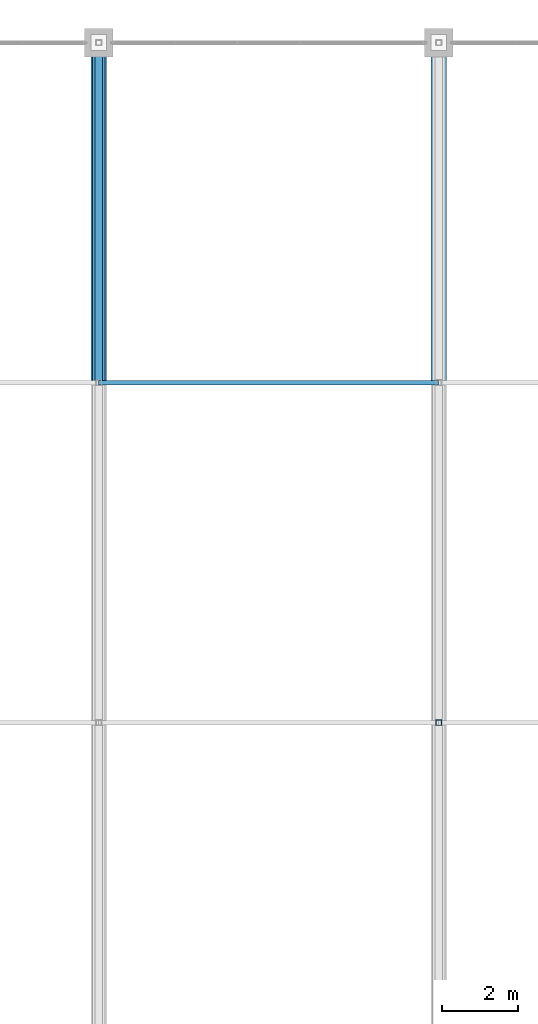
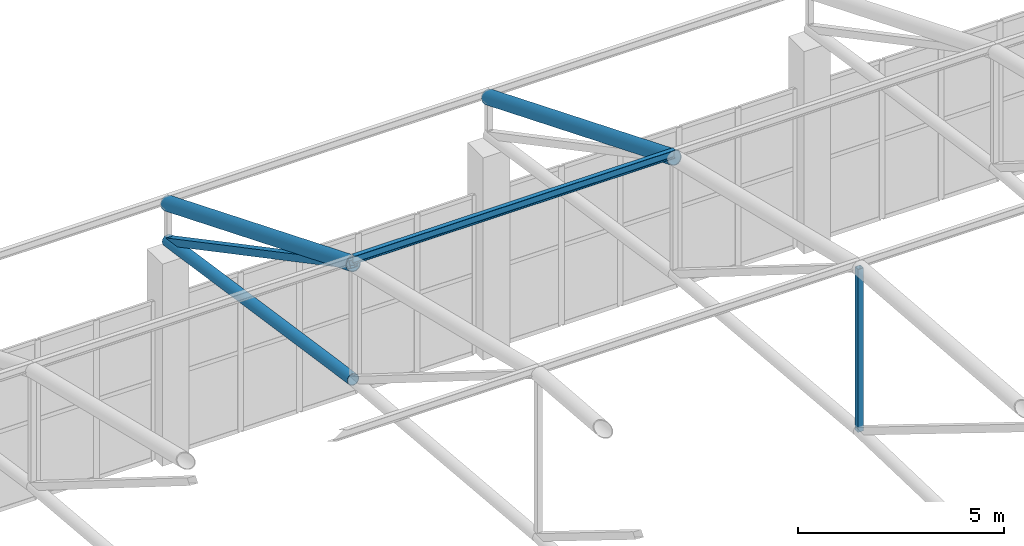
# One storey, part 138 of 223: 6 members.
"""IFC4 building model written with IfcOpenShell, lengths in metres."""

from ifc_helpers import new_model, si_unit, direction, frame, origin, origin_2d, place, context, subcontext, project, spatial, hollow_rectangle, hollow_circle, i_section, extrude, material, material_profile, profile_set, type_object, element, save


model = new_model("IFC4")

# Units and contexts
model_context = context("Model", 3, precision=1e-05, world=origin(), true_north=direction((0.0, 1.0)))
body_context = subcontext(model_context, "Body", "Model", "MODEL_VIEW")
ifc_project = project(units=[si_unit("LENGTHUNIT", "METRE"), si_unit("AREAUNIT", "SQUARE_METRE"), si_unit("VOLUMEUNIT", "CUBIC_METRE"), si_unit("PLANEANGLEUNIT", "RADIAN"), si_unit("MASSUNIT", "GRAM", prefix="KILO")], contexts=[model_context])

# Site, building, storey
site_placement = place(None, origin())
site = spatial("IfcSite", under=ifc_project, at=site_placement, CompositionType="ELEMENT")
building_placement = place(site_placement, origin())
building = spatial("IfcBuilding", under=site, at=building_placement, Name="Dornveld Trade and Exhibition Forum", CompositionType="ELEMENT")
storey_placement = place(building_placement, frame((0.0, 0.0, 6.0)))
storey = spatial("IfcBuildingStorey", under=building, at=storey_placement, Name="L01", CompositionType="ELEMENT", Elevation=6.0)

# Members
ifc_material_1 = material(Name="Steel S355J2", Category="steel")
ifc_material_profile_1 = material_profile(ifc_material_1, hollow_circle(Radius=0.161865234375, WallThickness=0.01611328125, at=origin_2d()), Name="CHS 323.9x16")
ifc_profile_set_1 = profile_set([ifc_material_profile_1], Name="Steel S355J2")
member_type_1 = type_object("IfcMemberType", Name="MEM-ARCH-BC", PredefinedType="CHORD", material=ifc_profile_set_1)
member_1_placement = place(storey_placement, frame((135.0, 153.0, 7.683349609375), z_axis=(0.0, 0.989204758987, -0.146539908551), x_axis=(-1.0, 0.0, 0.0)))
element("IfcMember", 1, at=member_1_placement, inside=storey, type_object=member_type_1, Name="H1 truss 5 tie chord 6", PredefinedType="CHORD", context=body_context, shape_type="SweptSolid", body=[
    extrude(hollow_circle(Radius=0.161865234375, WallThickness=0.01611328125, at=origin_2d()), origin(), (0.0, 0.0, 1.0), 9.09814453125),
])
ifc_material_2 = material(Name="Steel S355J2", Category="steel")
ifc_material_profile_2 = material_profile(ifc_material_2, hollow_rectangle(XDim=0.14990234375, YDim=0.14990234375, WallThickness=0.008056640625, at=origin_2d()), Name="SHS 150x150x8")
ifc_profile_set_2 = profile_set([ifc_material_profile_2], Name="Steel S355J2")
member_type_2 = type_object("IfcMemberType", Name="MEM-ARCH-STR", PredefinedType="STRUT", material=ifc_profile_set_2)
member_2_placement = place(storey_placement, frame((144.0, 144.0, 8.4833984375), z_axis=(0.0, 0.0, 1.0), x_axis=(1.0, 0.0, 0.0)))
element("IfcMember", 2, at=member_2_placement, inside=storey, type_object=member_type_2, Name="H1 truss 6 strut 5", PredefinedType="STRUT", context=body_context, shape_type="SweptSolid", body=[
    extrude(hollow_rectangle(XDim=0.14990234375, YDim=0.14990234375, WallThickness=0.008056640625, at=origin_2d()), origin(), (0.0, 0.0, 1.0), 4.833251953125),
])
ifc_material_3 = material(Name="Steel S355J2", Category="steel")
ifc_material_profile_3 = material_profile(ifc_material_3, hollow_circle(Radius=0.203125, WallThickness=0.02001953125, at=origin_2d()), Name="CHS 406.4x20")
ifc_profile_set_3 = profile_set([ifc_material_profile_3], Name="Steel S355J2")
member_type_3 = type_object("IfcMemberType", Name="MEM-ARCH-TC", PredefinedType="CHORD", material=ifc_profile_set_3)
for number, where, z_axis, x_axis, name in (
    (3, (135.0, 153.0, 11.11669921875), (0.0, 0.926089433793, -0.377304069177), (-1.0, 0.0, 0.0), "H1 truss 5 top chord 6"),
    (4, (144.0, 153.0, 11.11669921875), (0.0, 0.926089433793, -0.377304069177), (-1.0, 0.0, 0.0), "H1 truss 6 top chord 6"),
):
    element("IfcMember", number, at=place(storey_placement, frame(where, z_axis=z_axis, x_axis=x_axis)), inside=storey, type_object=member_type_3, Name=name, PredefinedType="CHORD", context=body_context, shape_type="SweptSolid", body=[
        extrude(hollow_circle(Radius=0.203125, WallThickness=0.02001953125, at=origin_2d()), origin(), (0.0, 0.0, 1.0), 9.71826171875),
    ])
ifc_material_4 = material(Name="Steel S355J2", Category="steel")
ifc_material_profile_4 = material_profile(ifc_material_4, hollow_rectangle(XDim=0.199951171875, YDim=0.199951171875, WallThickness=0.010009765625, at=origin_2d()), Name="SHS 200x200x10")
ifc_profile_set_4 = profile_set([ifc_material_profile_4], Name="Steel S355J2")
member_type_4 = type_object("IfcMemberType", Name="MEM-ARCH-WEB", PredefinedType="BRACE", material=ifc_profile_set_4)
member_3_placement = place(storey_placement, frame((135.0, 162.0, 6.35009765625), z_axis=(0.0, -0.883710934211, 0.468033102201), x_axis=(1.0, 0.0, 0.0)))
element("IfcMember", 5, at=member_3_placement, inside=storey, type_object=member_type_4, Name="H1 truss 5 web 6", PredefinedType="BRACE", context=body_context, shape_type="SweptSolid", body=[
    extrude(hollow_rectangle(XDim=0.199951171875, YDim=0.199951171875, WallThickness=0.010009765625, at=origin_2d()), origin(), (0.0, 0.0, 1.0), 10.184326171875),
])
ifc_material_5 = material(Name="Steel S355J2", Category="steel")
ifc_material_profile_5 = material_profile(ifc_material_5, i_section(OverallWidth=0.1201171875, OverallDepth=0.239990234375, WebThickness=0.006103515625, FlangeThickness=0.009765625, FilletRadius=0.014892578125, at=origin_2d()), Name="IPE 240")
ifc_profile_set_5 = profile_set([ifc_material_profile_5], Name="Steel S355J2")
member_type_5 = type_object("IfcMemberType", Name="MEM-PURLIN-240", PredefinedType="PURLIN", material=ifc_profile_set_5)
member_4_placement = place(storey_placement, frame((135.0, 153.0, 11.248779296875), z_axis=(1.0, 0.0, 0.0), x_axis=(0.0, 1.0, 0.0)))
element("IfcMember", 6, at=member_4_placement, inside=storey, type_object=member_type_5, Name="H1 bay 5 roof purlin 6", PredefinedType="PURLIN", context=body_context, shape_type="SweptSolid", body=[
    extrude(i_section(OverallWidth=0.1201171875, OverallDepth=0.239990234375, WebThickness=0.006103515625, FlangeThickness=0.009765625, FilletRadius=0.014892578125, at=origin_2d()), origin(), (0.0, 0.0, 1.0), 9.0),
])

save(model, "model.ifc")
